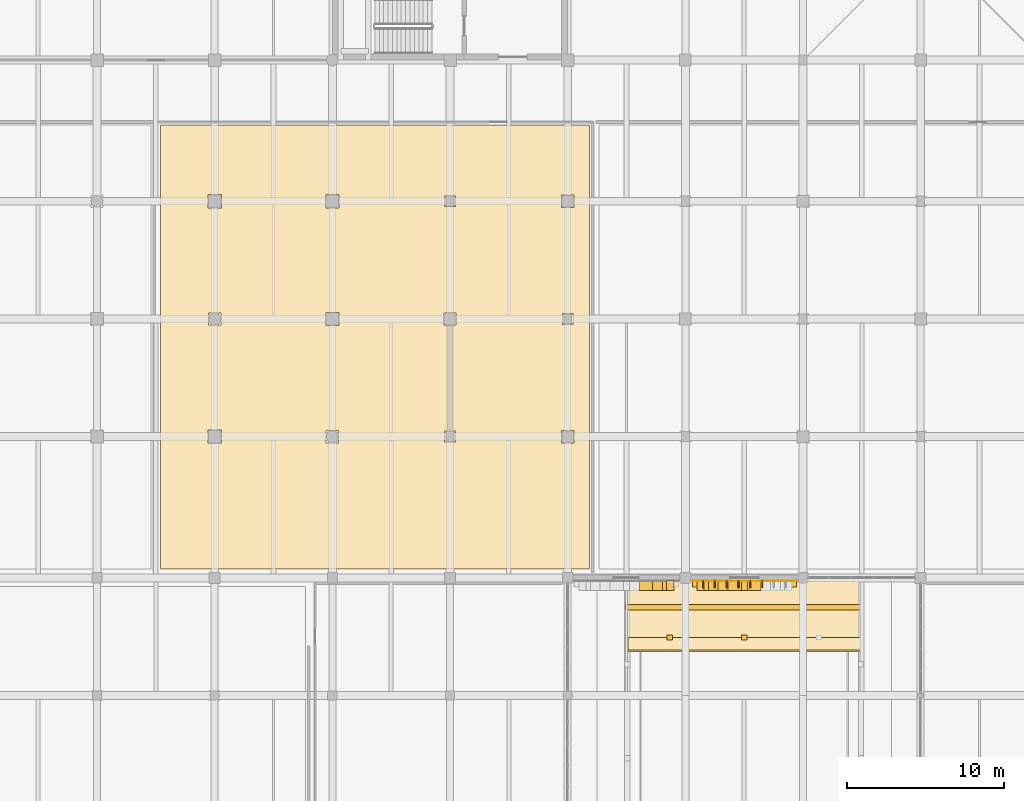
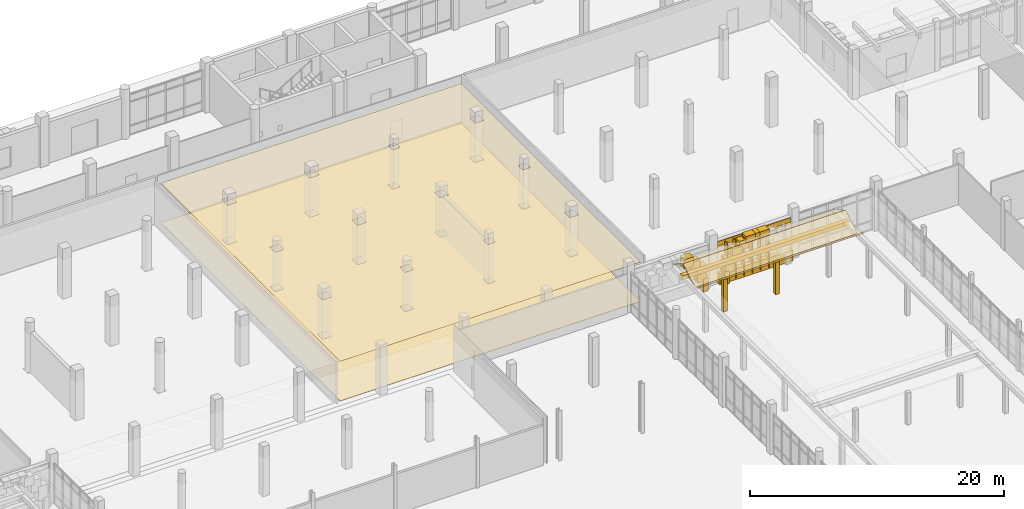
# One storey, part 114 of 125: 21 coverings, 6 shading devices.
"""IFC4 building model written with IfcOpenShell, lengths in metres."""

from ifc_helpers import new_model, si_unit, direction, frame, origin, origin_2d, place, context, subcontext, project, spatial, polyline, rectangle, outline, extrude, material, layer, layer_set, type_object, element, save


model = new_model("IFC4")

# Units and contexts
model_context = context("Model", 3, precision=1e-05, world=origin(), true_north=direction((0.0, 1.0)))
body_context = subcontext(model_context, "Body", "Model", "MODEL_VIEW")
ifc_project = project(units=[si_unit("LENGTHUNIT", "METRE"), si_unit("AREAUNIT", "SQUARE_METRE"), si_unit("VOLUMEUNIT", "CUBIC_METRE"), si_unit("PLANEANGLEUNIT", "RADIAN"), si_unit("MASSUNIT", "GRAM", prefix="KILO")], contexts=[model_context])

# Site, building, storey
site_placement = place(None, origin())
site = spatial("IfcSite", under=ifc_project, at=site_placement, CompositionType="ELEMENT")
building_placement = place(site_placement, origin())
building = spatial("IfcBuilding", under=site, at=building_placement, Name="Dalvernix Boulevard General Hospital", CompositionType="ELEMENT")
storey_placement = place(building_placement, origin())
storey = spatial("IfcBuildingStorey", under=building, at=storey_placement, Name="L00", CompositionType="ELEMENT", Elevation=0.0)

# Coverings
ifc_material_1 = material(Name="Pressed Catalan clay brick and dressed limestone parabolic archivolt", Category="masonry")
ifc_layer_1 = layer(ifc_material_1, 0.419921875)
ifc_layer_set_1 = layer_set([ifc_layer_1], Name="Pressed Catalan clay brick and dressed limestone parabolic archivolt (COV-ARC-01)")
covering_type_1 = type_object("IfcCoveringType", Name="COV-ARC-01", PredefinedType="CLADDING", material=ifc_layer_set_1)
covering_1_placement = place(storey_placement, frame((119.03759765625, 76.014892578125, 0.0), z_axis=(0.0, 0.0, 1.0), x_axis=(-1.0, 0.0, 0.0)))
element("IfcCovering", 1, at=covering_1_placement, inside=storey, type_object=covering_type_1, Name="L00 Catalan parabolic arch impost pier S 15-10-L", PredefinedType="CLADDING", context=body_context, shape_type="SweptSolid", body=[
    extrude(rectangle(XDim=0.4599609375, YDim=0.659912109375, at=origin_2d()), origin(), (0.0, 0.0, 1.0), 1.25),
])
covering_2_placement = place(storey_placement, frame((118.726318359375, 76.014892578125, 1.059814453125), z_axis=(0.0, 0.0, 1.0), x_axis=(-1.0, 0.0, 0.0)))
element("IfcCovering", 2, at=covering_2_placement, inside=storey, type_object=covering_type_1, Name="L00 Catalan parabolic archivolt voussoir S 15-10-1", PredefinedType="CLADDING", context=body_context, shape_type="SweptSolid", body=[
    extrude(rectangle(XDim=0.8623046875, YDim=0.659912109375, at=origin_2d()), origin(), (0.0, 0.0, 1.0), 1.3994140625),
])
covering_3_placement = place(storey_placement, frame((118.104248046875, 76.014892578125, 2.07958984375), z_axis=(0.0, 0.0, 1.0), x_axis=(-1.0, 0.0, 0.0)))
element("IfcCovering", 3, at=covering_3_placement, inside=storey, type_object=covering_type_1, Name="L00 Catalan parabolic archivolt voussoir S 15-10-2", PredefinedType="CLADDING", context=body_context, shape_type="SweptSolid", body=[
    extrude(rectangle(XDim=0.8623046875, YDim=0.659912109375, at=origin_2d()), origin(), (0.0, 0.0, 1.0), 1.144287109375),
])
covering_4_placement = place(storey_placement, frame((117.48193359375, 76.014892578125, 2.84375), z_axis=(0.0, 0.0, 1.0), x_axis=(-1.0, 0.0, 0.0)))
element("IfcCovering", 4, at=covering_4_placement, inside=storey, type_object=covering_type_1, Name="L00 Catalan parabolic archivolt voussoir S 15-10-3", PredefinedType="CLADDING", context=body_context, shape_type="SweptSolid", body=[
    extrude(rectangle(XDim=0.8623046875, YDim=0.659912109375, at=origin_2d()), origin(), (0.0, 0.0, 1.0), 0.8896484375),
])
covering_5_placement = place(storey_placement, frame((120.96240234375, 76.014892578125, 0.0), z_axis=(0.0, 0.0, 1.0), x_axis=(-1.0, 0.0, 0.0)))
element("IfcCovering", 5, at=covering_5_placement, inside=storey, type_object=covering_type_1, Name="L00 Catalan parabolic arch impost pier S 16-10-R", PredefinedType="CLADDING", context=body_context, shape_type="SweptSolid", body=[
    extrude(rectangle(XDim=0.4599609375, YDim=0.659912109375, at=origin_2d()), origin(), (0.0, 0.0, 1.0), 1.25),
])
covering_6_placement = place(storey_placement, frame((124.384765625, 76.014892578125, 3.353271484375), z_axis=(0.0, 0.0, 1.0), x_axis=(-1.0, 0.0, 0.0)))
element("IfcCovering", 6, at=covering_6_placement, inside=storey, type_object=covering_type_1, Name="L00 Catalan parabolic archivolt voussoir S 16-10-4", PredefinedType="CLADDING", context=body_context, shape_type="SweptSolid", body=[
    extrude(rectangle(XDim=0.8623046875, YDim=0.659912109375, at=origin_2d()), origin(), (0.0, 0.0, 1.0), 0.634765625),
])
covering_7_placement = place(storey_placement, frame((123.762451171875, 76.014892578125, 3.608154296875), z_axis=(0.0, 0.0, 1.0), x_axis=(-1.0, 0.0, 0.0)))
element("IfcCovering", 7, at=covering_7_placement, inside=storey, type_object=covering_type_1, Name="L00 Catalan parabolic archivolt voussoir S 16-10-5", PredefinedType="CLADDING", context=body_context, shape_type="SweptSolid", body=[
    extrude(rectangle(XDim=0.8623046875, YDim=0.659912109375, at=origin_2d()), origin(), (0.0, 0.0, 1.0), 0.3798828125),
])
covering_8_placement = place(storey_placement, frame((123.140380859375, 76.014892578125, 3.353271484375), z_axis=(0.0, 0.0, 1.0), x_axis=(-1.0, 0.0, 0.0)))
element("IfcCovering", 8, at=covering_8_placement, inside=storey, type_object=covering_type_1, Name="L00 Catalan parabolic archivolt voussoir S 16-10-6", PredefinedType="CLADDING", context=body_context, shape_type="SweptSolid", body=[
    extrude(rectangle(XDim=0.8623046875, YDim=0.659912109375, at=origin_2d()), origin(), (0.0, 0.0, 1.0), 0.634765625),
])
covering_9_placement = place(storey_placement, frame((122.51806640625, 76.014892578125, 2.84375), z_axis=(0.0, 0.0, 1.0), x_axis=(-1.0, 0.0, 0.0)))
element("IfcCovering", 9, at=covering_9_placement, inside=storey, type_object=covering_type_1, Name="L00 Catalan parabolic archivolt voussoir S 16-10-7", PredefinedType="CLADDING", context=body_context, shape_type="SweptSolid", body=[
    extrude(rectangle(XDim=0.8623046875, YDim=0.659912109375, at=origin_2d()), origin(), (0.0, 0.0, 1.0), 0.8896484375),
])
covering_10_placement = place(storey_placement, frame((121.895751953125, 76.014892578125, 2.07958984375), z_axis=(0.0, 0.0, 1.0), x_axis=(-1.0, 0.0, 0.0)))
element("IfcCovering", 10, at=covering_10_placement, inside=storey, type_object=covering_type_1, Name="L00 Catalan parabolic archivolt voussoir S 16-10-8", PredefinedType="CLADDING", context=body_context, shape_type="SweptSolid", body=[
    extrude(rectangle(XDim=0.8623046875, YDim=0.659912109375, at=origin_2d()), origin(), (0.0, 0.0, 1.0), 1.144287109375),
])
covering_11_placement = place(storey_placement, frame((121.273681640625, 76.014892578125, 1.059814453125), z_axis=(0.0, 0.0, 1.0), x_axis=(-1.0, 0.0, 0.0)))
element("IfcCovering", 11, at=covering_11_placement, inside=storey, type_object=covering_type_1, Name="L00 Catalan parabolic archivolt voussoir S 16-10-9", PredefinedType="CLADDING", context=body_context, shape_type="SweptSolid", body=[
    extrude(rectangle(XDim=0.8623046875, YDim=0.659912109375, at=origin_2d()), origin(), (0.0, 0.0, 1.0), 1.3994140625),
])
ifc_material_2 = material(Name="Antimicrobial acoustic mineral-fibre suspended ceiling")
ifc_layer_2 = layer(ifc_material_2, 0.02490234375)
ifc_layer_set_2 = layer_set([ifc_layer_2], Name="Antimicrobial acoustic mineral-fibre suspended ceiling (COV-CEIL-01)")
covering_type_2 = type_object("IfcCoveringType", Name="COV-CEIL-01", PredefinedType="CEILING", material=ifc_layer_set_2)
covering_12_placement = place(storey_placement, frame((0.0, 0.0, 3.794921875)))
element("IfcCovering", 12, at=covering_12_placement, inside=storey, type_object=covering_type_2, Name="L00 Hospital Central Stores and Logistics Hall 03 hygienic suspended ceiling", PredefinedType="CEILING", context=body_context, shape_type="SweptSolid", body=[
    extrude(outline(polyline([(113.89990234375, 77.050048828125), (86.550048828125, 77.050048828125), (86.550048828125, 105.35009765625), (113.89990234375, 105.35009765625), (113.89990234375, 77.050048828125)]), holes=[polyline([(90.419921875, 85.080078125), (90.419921875, 85.919921875), (89.580078125, 85.919921875), (89.580078125, 85.080078125), (90.419921875, 85.080078125)]), polyline([(89.60498046875, 92.60498046875), (90.39501953125, 92.60498046875), (90.39501953125, 93.39501953125), (89.60498046875, 93.39501953125), (89.60498046875, 92.60498046875)]), polyline([(89.580078125, 100.919921875), (89.580078125, 100.080078125), (90.419921875, 100.080078125), (90.419921875, 100.919921875), (89.580078125, 100.919921875)]), polyline([(97.89501953125, 85.89501953125), (97.10498046875, 85.89501953125), (97.10498046875, 85.10498046875), (97.89501953125, 85.10498046875), (97.89501953125, 85.89501953125)]), polyline([(97.919921875, 92.580078125), (97.919921875, 93.419921875), (97.080078125, 93.419921875), (97.080078125, 92.580078125), (97.919921875, 92.580078125)]), polyline([(97.080078125, 100.080078125), (97.919921875, 100.080078125), (97.919921875, 100.919921875), (97.080078125, 100.919921875), (97.080078125, 100.080078125)]), polyline([(104.655029296875, 85.844970703125), (104.655029296875, 85.155029296875), (105.344970703125, 85.155029296875), (105.344970703125, 85.844970703125), (104.655029296875, 85.844970703125)]), polyline([(105.39501953125, 93.39501953125), (104.60498046875, 93.39501953125), (104.60498046875, 92.60498046875), (105.39501953125, 92.60498046875), (105.39501953125, 93.39501953125)]), polyline([(105.344970703125, 100.155029296875), (105.344970703125, 100.844970703125), (104.655029296875, 100.844970703125), (104.655029296875, 100.155029296875), (105.344970703125, 100.155029296875)]), polyline([(112.10498046875, 85.10498046875), (112.89501953125, 85.10498046875), (112.89501953125, 85.89501953125), (112.10498046875, 85.89501953125), (112.10498046875, 85.10498046875)]), polyline([(112.155029296875, 93.344970703125), (112.155029296875, 92.655029296875), (112.844970703125, 92.655029296875), (112.844970703125, 93.344970703125), (112.155029296875, 93.344970703125)]), polyline([(112.89501953125, 100.89501953125), (112.10498046875, 100.89501953125), (112.10498046875, 100.10498046875), (112.89501953125, 100.10498046875), (112.89501953125, 100.89501953125)])]), origin(), (0.0, 0.0, 1.0), 0.025146484375),
])
ifc_material_3 = material(Name="Polychrome Catalan glazed ceramic spandrel tile panel")
ifc_layer_3 = layer(ifc_material_3, 0.044921875)
ifc_layer_set_3 = layer_set([ifc_layer_3], Name="Polychrome Catalan glazed ceramic spandrel tile panel (COV-CLD-01)")
covering_type_3 = type_object("IfcCoveringType", Name="COV-CLD-01", PredefinedType="CLADDING", material=ifc_layer_set_3)
covering_13_placement = place(storey_placement, frame((123.762451171875, 76.304931640625, 3.47509765625), z_axis=(0.0, 0.0, 1.0), x_axis=(-1.0, 0.0, 0.0)))
element("IfcCovering", 13, at=covering_13_placement, inside=storey, type_object=covering_type_3, Name="L00 polychrome ceramic spandrel S 16-10", PredefinedType="CLADDING", context=body_context, shape_type="SweptSolid", body=[
    extrude(rectangle(XDim=6.705078125, YDim=0.044921875, at=origin_2d()), origin(), (0.0, 0.0, 1.0), 0.449951171875),
])
ifc_material_4 = material(Name="Dressed ochre limestone classical plinth, stringcourse and corbelled cornice", Category="masonry")
ifc_layer_4 = layer(ifc_material_4, 0.449951171875)
ifc_layer_set_4 = layer_set([ifc_layer_4], Name="Dressed ochre limestone classical plinth, stringcourse and corbelled cornice (COV-CRN-01)")
covering_type_4 = type_object("IfcCoveringType", Name="COV-CRN-01", PredefinedType="CLADDING", material=ifc_layer_set_4)
covering_14_placement = place(storey_placement, frame((123.762451171875, 76.125, 0.0), z_axis=(0.0, 0.0, 1.0), x_axis=(-1.0, 0.0, 0.0)))
element("IfcCovering", 14, at=covering_14_placement, inside=storey, type_object=covering_type_4, Name="L00 rusticated limestone classical plinth S 16-10", PredefinedType="CLADDING", context=body_context, shape_type="SweptSolid", body=[
    extrude(rectangle(XDim=6.64501953125, YDim=0.43994140625, at=origin_2d()), origin(), (0.0, 0.0, 1.0), 1.0400390625),
])
ifc_material_5 = material(Name="Seamless welded medical vinyl and polished terrazzo flooring")
ifc_layer_5 = layer(ifc_material_5, 0.014892578125)
ifc_layer_set_5 = layer_set([ifc_layer_5], Name="Seamless welded medical vinyl and polished terrazzo flooring (COV-FLR-01)")
covering_type_5 = type_object("IfcCoveringType", Name="COV-FLR-01", PredefinedType="FLOORING", material=ifc_layer_set_5)
covering_15_placement = place(storey_placement, origin())
element("IfcCovering", 15, at=covering_15_placement, inside=storey, type_object=covering_type_5, Name="L00 Hospital Central Stores and Logistics Hall 03 seamless clinical flooring", PredefinedType="FLOORING", context=body_context, shape_type="SweptSolid", body=[
    extrude(outline(polyline([(113.89990234375, 77.050048828125), (86.550048828125, 77.050048828125), (86.550048828125, 105.35009765625), (113.89990234375, 105.35009765625), (113.89990234375, 77.050048828125)]), holes=[polyline([(90.419921875, 85.080078125), (90.419921875, 85.919921875), (89.580078125, 85.919921875), (89.580078125, 85.080078125), (90.419921875, 85.080078125)]), polyline([(89.60498046875, 92.60498046875), (90.39501953125, 92.60498046875), (90.39501953125, 93.39501953125), (89.60498046875, 93.39501953125), (89.60498046875, 92.60498046875)]), polyline([(89.580078125, 100.919921875), (89.580078125, 100.080078125), (90.419921875, 100.080078125), (90.419921875, 100.919921875), (89.580078125, 100.919921875)]), polyline([(97.89501953125, 85.89501953125), (97.10498046875, 85.89501953125), (97.10498046875, 85.10498046875), (97.89501953125, 85.10498046875), (97.89501953125, 85.89501953125)]), polyline([(97.919921875, 92.580078125), (97.919921875, 93.419921875), (97.080078125, 93.419921875), (97.080078125, 92.580078125), (97.919921875, 92.580078125)]), polyline([(97.080078125, 100.080078125), (97.919921875, 100.080078125), (97.919921875, 100.919921875), (97.080078125, 100.919921875), (97.080078125, 100.080078125)]), polyline([(104.655029296875, 85.844970703125), (104.655029296875, 85.155029296875), (105.344970703125, 85.155029296875), (105.344970703125, 85.844970703125), (104.655029296875, 85.844970703125)]), polyline([(105.39501953125, 93.39501953125), (104.60498046875, 93.39501953125), (104.60498046875, 92.60498046875), (105.39501953125, 92.60498046875), (105.39501953125, 93.39501953125)]), polyline([(105.344970703125, 100.155029296875), (105.344970703125, 100.844970703125), (104.655029296875, 100.844970703125), (104.655029296875, 100.155029296875), (105.344970703125, 100.155029296875)]), polyline([(112.10498046875, 85.10498046875), (112.89501953125, 85.10498046875), (112.89501953125, 85.89501953125), (112.10498046875, 85.89501953125), (112.10498046875, 85.10498046875)]), polyline([(112.155029296875, 93.344970703125), (112.155029296875, 92.655029296875), (112.844970703125, 92.655029296875), (112.844970703125, 93.344970703125), (112.155029296875, 93.344970703125)]), polyline([(112.89501953125, 100.89501953125), (112.10498046875, 100.89501953125), (112.10498046875, 100.10498046875), (112.89501953125, 100.10498046875), (112.89501953125, 100.89501953125)])]), origin(), (0.0, 0.0, 1.0), 0.014892578125),
])
ifc_material_6 = material(Name="Preservative-treated glulam GL28h cloister walkway post, beam and roof", Category="wood")
ifc_layer_6 = layer(ifc_material_6, 0.340087890625)
ifc_layer_set_6 = layer_set([ifc_layer_6], Name="Preservative-treated glulam GL28h cloister walkway post, beam and roof (COV-WKP-01)")
covering_type_6 = type_object("IfcCoveringType", Name="COV-WKP-01", PredefinedType="CLADDING", material=ifc_layer_set_6)
covering_16_placement = place(storey_placement, frame((123.75, 74.625, 2.860107421875), z_axis=(0.0, 0.0, 1.0), x_axis=(1.0, 0.0, 0.0)))
element("IfcCovering", 16, at=covering_16_placement, inside=storey, type_object=covering_type_6, Name="ECOURT covered timber walkway ridge beam N", PredefinedType="CLADDING", context=body_context, shape_type="SweptSolid", body=[
    extrude(rectangle(XDim=15.199951171875, YDim=0.3798828125, at=origin_2d()), origin(), (0.0, 0.0, 1.0), 0.3798828125),
])
for number, where, z_axis, x_axis, name in (
    (17, (119.0, 72.699951171875, 0.0), (0.0, 0.0, 1.0), (1.0, 0.0, 0.0), "ECOURT covered timber walkway post N-1"),
    (18, (123.75, 72.699951171875, 0.0), (0.0, 0.0, 1.0), (1.0, 0.0, 0.0), "ECOURT covered timber walkway post N-2"),
):
    element("IfcCovering", number, at=place(storey_placement, frame(where, z_axis=z_axis, x_axis=x_axis)), inside=storey, type_object=covering_type_6, Name=name, PredefinedType="CLADDING", context=body_context, shape_type="SweptSolid", body=[
        extrude(rectangle(XDim=0.340087890625, YDim=0.340087890625, at=origin_2d()), origin(), (0.0, 0.0, 1.0), 3.10009765625),
    ])
for number, where, z_axis, x_axis, name in (
    (19, (116.35009765625, 72.699951171875, 3.14990234375), (0.0, -0.496162654506, 0.86822958961), (1.0, 0.0, 0.0), "ECOURT covered timber walkway pitched roof N-1"),
    (20, (116.35009765625, 74.625, 4.25), (0.0, 0.496162654506, 0.86822958961), (1.0, 0.0, 0.0), "ECOURT covered timber walkway pitched roof N-2"),
):
    element("IfcCovering", number, at=place(storey_placement, frame(where, z_axis=z_axis, x_axis=x_axis)), inside=storey, type_object=covering_type_6, Name=name, PredefinedType="CLADDING", context=body_context, shape_type="SweptSolid", body=[
        extrude(outline(polyline([(0.0, 0.0), (14.7998046875, 0.0), (14.7998046875, 2.217211727362134), (0.0, 2.217211727362134), (0.0, 0.0)])), origin(), (0.0, 0.0, -1.0), 0.1298828125),
    ])
covering_17_placement = place(storey_placement, frame((116.35009765625, 72.699951171875, 3.14990234375), z_axis=(0.0, 0.630655032425, 0.776063289995), x_axis=(1.0, 0.0, 0.0)))
element("IfcCovering", 21, at=covering_17_placement, inside=storey, type_object=covering_type_6, Name="ECOURT covered timber walkway pitched roof N-3", PredefinedType="CLADDING", context=body_context, shape_type="SweptSolid", body=[
    extrude(outline(polyline([(0.0, 0.0), (14.7998046875, 0.0), (14.7998046875, -1.0309066778954135), (0.0, -1.0309066778954135), (0.0, 0.0)])), origin(), (0.0, 0.0, -1.0), 0.1298828125),
])

# Shading devices
ifc_material_7 = material(Name="Preservative-treated West African iroko timber", Category="wood")
shading_device_type = type_object("IfcShadingDeviceType", Name="SHD-FIN-01", PredefinedType="USERDEFINED", material=ifc_material_7)
for number, where, z_axis, x_axis, name in (
    (22, (124.887451171875, 76.094970703125, 0.175048828125), (0.0, 0.0, 1.0), (-1.0, 0.0, 0.0), "L00 iroko brise-soleil fin 3"),
    (23, (124.137451171875, 76.094970703125, 0.175048828125), (0.0, 0.0, 1.0), (-1.0, 0.0, 0.0), "L00 iroko brise-soleil fin 4"),
    (24, (123.387451171875, 76.094970703125, 0.175048828125), (0.0, 0.0, 1.0), (-1.0, 0.0, 0.0), "L00 iroko brise-soleil fin 5"),
    (25, (122.637451171875, 76.094970703125, 0.175048828125), (0.0, 0.0, 1.0), (-1.0, 0.0, 0.0), "L00 iroko brise-soleil fin 6"),
    (26, (121.887451171875, 76.094970703125, 0.175048828125), (0.0, 0.0, 1.0), (-1.0, 0.0, 0.0), "L00 iroko brise-soleil fin 7"),
    (27, (121.137451171875, 76.094970703125, 0.175048828125), (0.0, 0.0, 1.0), (-1.0, 0.0, 0.0), "L00 iroko brise-soleil fin 8"),
):
    element("IfcShadingDevice", number, at=place(storey_placement, frame(where, z_axis=z_axis, x_axis=x_axis)), inside=storey, type_object=shading_device_type, Name=name, ObjectType="FIN", PredefinedType="USERDEFINED", context=body_context, shape_type="SweptSolid", body=[
        extrude(rectangle(XDim=0.06494140625, YDim=0.47998046875, at=origin_2d()), origin(), (0.0, 0.0, 1.0), 3.60009765625),
    ])

save(model, "model.ifc")
